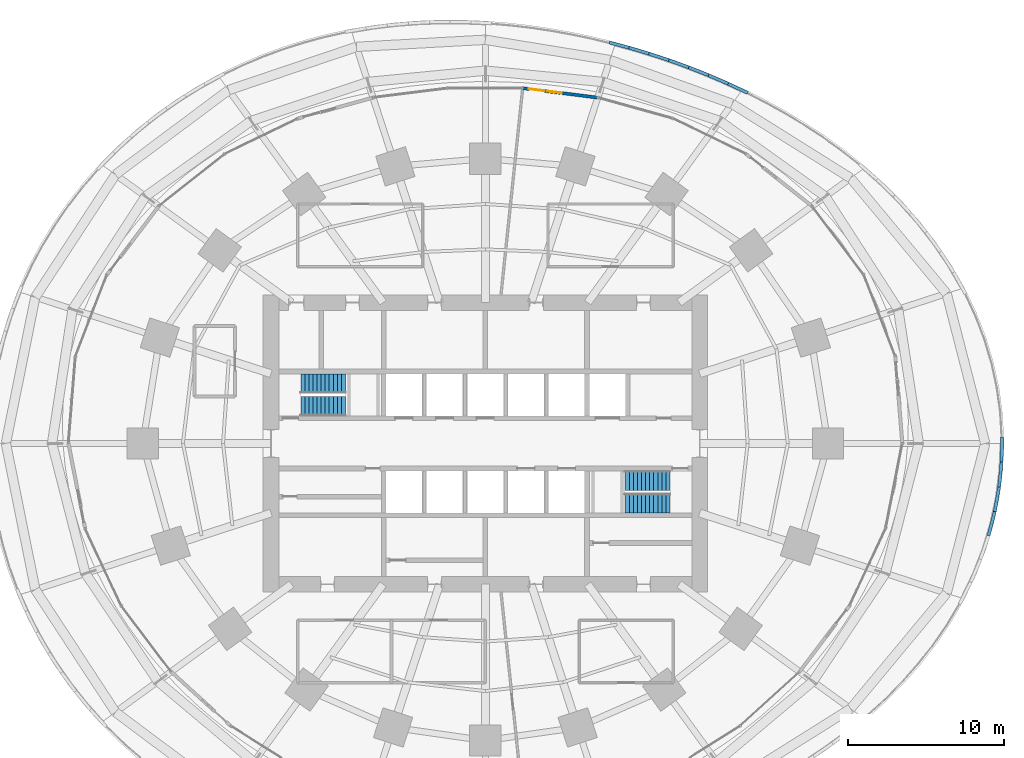
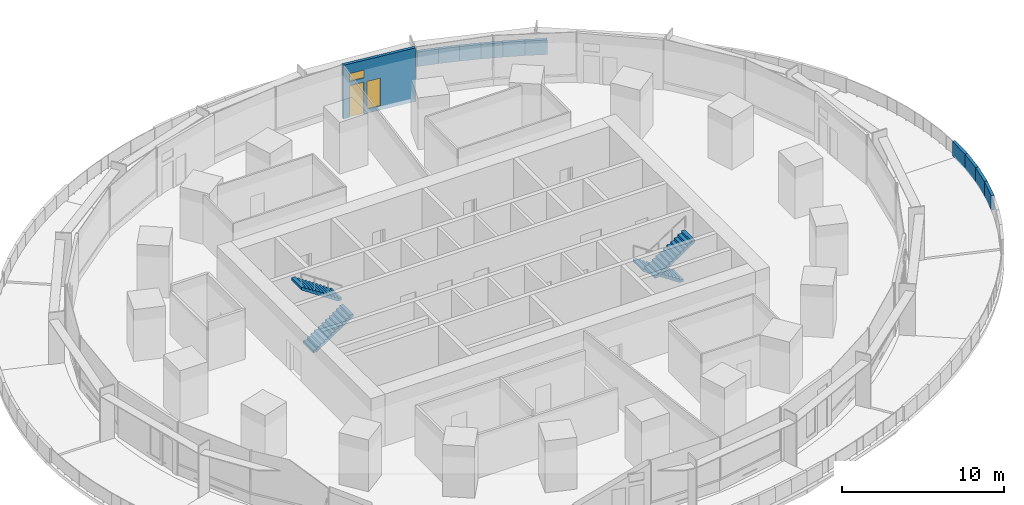
# One storey, part 16 of 20: 12 walls, 4 stair flights, 2 windows, 1 door, 3 openings, 2 elements without a shape of their own.
"""IFC4 building model written with IfcOpenShell, lengths in metres."""

from ifc_helpers import new_model, si_unit, direction, frame, frame_2d, origin, place, context, subcontext, project, spatial, polyline, rectangle, outline, extrude, material, layer, layer_set, type_object, element, fill, aggregate, save


model = new_model("IFC4")

# Units and contexts
model_context = context("Model", 3, precision=1e-05, world=origin(), true_north=direction((0.0, 1.0)))
body_context = subcontext(model_context, "Body", "Model", "MODEL_VIEW")
ifc_project = project(units=[si_unit("LENGTHUNIT", "METRE"), si_unit("AREAUNIT", "SQUARE_METRE"), si_unit("VOLUMEUNIT", "CUBIC_METRE"), si_unit("PLANEANGLEUNIT", "RADIAN"), si_unit("MASSUNIT", "GRAM", prefix="KILO")], contexts=[model_context])

# Site, building, storey
site_placement = place(None, origin())
site = spatial("IfcSite", under=ifc_project, at=site_placement, CompositionType="ELEMENT")
building_placement = place(site_placement, origin())
building = spatial("IfcBuilding", under=site, at=building_placement, Name="Marramba Exchange Tower", CompositionType="ELEMENT")
storey_placement = place(building_placement, frame((0.0, 0.0, 19.60009765625)))
storey = spatial("IfcBuildingStorey", under=building, at=storey_placement, Name="L04", CompositionType="ELEMENT", Elevation=19.60009765625)

# Wall, openings, door, windows
ifc_material_1 = material(Name="Aluminium-framed bronze cladding on steel studs", Category="steel")
ifc_layer_1 = layer(ifc_material_1, 0.199951171875)
ifc_layer_set_1 = layer_set([ifc_layer_1], Name="Door screen wall 200")
wall_type_1 = type_object("IfcWallType", Name="Door screen wall 200", PredefinedType="SOLIDWALL", material=ifc_layer_set_1)
wall_1_placement = place(storey_placement, frame((7.181640625, 22.1025390625, 0.0), z_axis=(0.0, 0.0, 1.0), x_axis=(-0.992172605172, 0.124874022707, 0.0)))
wall_1 = element("IfcWall", 1, at=wall_1_placement, inside=storey, type_object=wall_type_1, Name="Door screen L04 F07", PredefinedType="SOLIDWALL", context=body_context, shape_type="SweptSolid", body=[
    extrude(rectangle(XDim=4.8330078125, YDim=0.199951171875, at=frame_2d((2.41650390625, 0.0))), origin(), (0.0, 0.0, 1.0), 4.039794921875),
])
opening_1_placement = place(wall_1_placement, frame((3.432861328125, 0.0, 0.0)))
opening_1 = element("IfcOpeningElement", 2, at=opening_1_placement, cuts=wall_1, Name="Opening D6", PredefinedType="OPENING", context=body_context, shape_type="SweptSolid", body=[
    extrude(rectangle(XDim=1.0, YDim=2.39990234375, at=frame_2d((0.5, 1.199951171875))), frame((0.0, 0.10986328125, 0.0), z_axis=(0.0, -1.0, 0.0), x_axis=(1.0, 0.0, 0.0)), (0.0, 0.0, 1.0), 0.219970703125),
])
opening_2_placement = place(wall_1_placement, frame((2.332763671875, 0.0, 0.300048828125)))
opening_2 = element("IfcOpeningElement", 3, at=opening_2_placement, cuts=wall_1, Name="Opening W4", PredefinedType="OPENING", context=body_context, shape_type="SweptSolid", body=[
    extrude(rectangle(XDim=0.89990234375, YDim=2.10009765625, at=frame_2d((0.449951171875, 1.050048828125))), frame((0.0, 0.10986328125, 0.0), z_axis=(0.0, -1.0, 0.0), x_axis=(1.0, 0.0, 0.0)), (0.0, 0.0, 1.0), 0.219970703125),
])
opening_3_placement = place(wall_1_placement, frame((3.432861328125, 0.0, 2.699951171875)))
opening_3 = element("IfcOpeningElement", 4, at=opening_3_placement, cuts=wall_1, Name="Opening W5", PredefinedType="OPENING", context=body_context, shape_type="SweptSolid", body=[
    extrude(rectangle(XDim=1.0, YDim=0.60009765625, at=frame_2d((0.5, 0.300048828125))), frame((0.0, 0.10986328125, 0.0), z_axis=(0.0, -1.0, 0.0), x_axis=(1.0, 0.0, 0.0)), (0.0, 0.0, 1.0), 0.219970703125),
])
ifc_material_2 = material(Name="Aluminium-framed glazed door, bronze", Category="aluminium")
door_type = type_object("IfcDoorType", Name="Terrace door 1000x2400", OperationType="SINGLE_SWING_LEFT", PredefinedType="DOOR", material=ifc_material_2)
door_placement = place(opening_1_placement, frame((1.0, 0.0, 0.0), z_axis=(0.0, 0.0, 1.0), x_axis=(-1.0, 0.0, 0.0)))
door = element("IfcDoor", 5, at=door_placement, inside=storey, type_object=door_type, Name="D6 L04", OperationType="SINGLE_SWING_RIGHT", OverallHeight=2.39990234375, OverallWidth=1.0, PredefinedType="DOOR", context=body_context, shape_type="SweptSolid", body=[
    extrude(rectangle(XDim=1.0, YDim=2.39990234375, at=frame_2d((0.5, 1.199951171875))), frame((0.0, 0.025146484375, 0.0), z_axis=(0.0, -1.0, 0.0), x_axis=(1.0, 0.0, 0.0)), (0.0, 0.0, 1.0), 0.050048828125),
])
fill(opening_1, door)
ifc_material_3 = material(Name="Aluminium-framed fixed light, bronze, double glazed", Category="aluminium")
window_type_1 = type_object("IfcWindowType", Name="Terrace sidelight 900x2100", PartitioningType="SINGLE_PANEL", PredefinedType="WINDOW", material=ifc_material_3)
window_1_placement = place(opening_2_placement, origin())
window_1 = element("IfcWindow", 6, at=window_1_placement, inside=storey, type_object=window_type_1, Name="W4 L04 F07 left", OverallHeight=2.10009765625, OverallWidth=0.89990234375, PartitioningType="SINGLE_PANEL", PredefinedType="WINDOW", context=body_context, shape_type="SweptSolid", body=[
    extrude(rectangle(XDim=0.89990234375, YDim=2.10009765625, at=frame_2d((0.449951171875, 1.050048828125))), frame((0.0, 0.030029296875, 0.0), z_axis=(0.0, -1.0, 0.0), x_axis=(1.0, 0.0, 0.0)), (0.0, 0.0, 1.0), 0.06005859375),
])
fill(opening_2, window_1)
window_type_2 = type_object("IfcWindowType", Name="Terrace transom light 1000x600", PartitioningType="SINGLE_PANEL", PredefinedType="WINDOW", material=ifc_material_3)
window_2_placement = place(opening_3_placement, origin())
window_2 = element("IfcWindow", 7, at=window_2_placement, inside=storey, type_object=window_type_2, Name="W5 L04 F07 over the door", OverallHeight=0.60009765625, OverallWidth=1.0, PartitioningType="SINGLE_PANEL", PredefinedType="WINDOW", context=body_context, shape_type="SweptSolid", body=[
    extrude(rectangle(XDim=1.0, YDim=0.60009765625, at=frame_2d((0.5, 0.300048828125))), frame((0.0, 0.030029296875, 0.0), z_axis=(0.0, -1.0, 0.0), x_axis=(1.0, 0.0, 0.0)), (0.0, 0.0, 1.0), 0.06005859375),
])
fill(opening_3, window_2)

# Walls
ifc_material_4 = material(Name="Concrete N40", Category="concrete")
ifc_layer_2 = layer(ifc_material_4, 0.199951171875)
ifc_layer_set_2 = layer_set([ifc_layer_2], Name="Roof parapet 200")
wall_type_2 = type_object("IfcWallType", Name="Roof parapet 200", PredefinedType="PARAPET", material=ifc_layer_set_2)
wall_2_placement = place(storey_placement, frame((16.769775390625, 22.402099609375, 0.0), z_axis=(0.0, 0.0, 1.0), x_axis=(-0.905165145574, 0.425060065447, 0.0)))
element("IfcWall", 8, at=wall_2_placement, inside=storey, type_object=wall_type_2, Name="Parapet L04 bay 04", PredefinedType="PARAPET", context=body_context, shape_type="SweptSolid", body=[
    extrude(rectangle(XDim=1.38818359375, YDim=0.199951171875, at=frame_2d((0.694091796875, 0.0))), origin(), (0.0, 0.0, 1.0), 1.099853515625),
])
wall_3_placement = place(storey_placement, frame((15.51318359375, 22.9921875, 0.0), z_axis=(0.0, 0.0, 1.0), x_axis=(-0.918351953195, 0.395764690269, 0.0)))
element("IfcWall", 9, at=wall_3_placement, inside=storey, type_object=wall_type_2, Name="Parapet L04 bay 04", PredefinedType="PARAPET", context=body_context, shape_type="SweptSolid", body=[
    extrude(rectangle(XDim=1.37255859375, YDim=0.199951171875, at=frame_2d((0.686279296875, 0.0))), origin(), (0.0, 0.0, 1.0), 1.099853515625),
])
wall_4_placement = place(storey_placement, frame((14.252685546875, 23.535400390625, 0.0), z_axis=(0.0, 0.0, 1.0), x_axis=(-0.929932135138, 0.367731184479, 0.0)))
element("IfcWall", 10, at=wall_4_placement, inside=storey, type_object=wall_type_2, Name="Parapet L04 bay 04", PredefinedType="PARAPET", context=body_context, shape_type="SweptSolid", body=[
    extrude(rectangle(XDim=1.3583984375, YDim=0.199951171875, at=frame_2d((0.67919921875, 0.0))), origin(), (0.0, 0.0, 1.0), 1.099853515625),
])
wall_5_placement = place(storey_placement, frame((12.989501953125, 24.034912109375, 0.0), z_axis=(0.0, 0.0, 1.0), x_axis=(-0.940437939605, 0.339965412581, 0.0)))
element("IfcWall", 11, at=wall_5_placement, inside=storey, type_object=wall_type_2, Name="Parapet L04 bay 04", PredefinedType="PARAPET", context=body_context, shape_type="SweptSolid", body=[
    extrude(rectangle(XDim=1.345703125, YDim=0.199951171875, at=frame_2d((0.6728515625, 0.0))), origin(), (0.0, 0.0, 1.0), 1.099853515625),
])
wall_6_placement = place(storey_placement, frame((11.723876953125, 24.492431640625, 0.0), z_axis=(0.0, 0.0, 1.0), x_axis=(-0.949810759608, 0.312825064425, 0.0)))
element("IfcWall", 12, at=wall_6_placement, inside=storey, type_object=wall_type_2, Name="Parapet L04 bay 04", PredefinedType="PARAPET", context=body_context, shape_type="SweptSolid", body=[
    extrude(rectangle(XDim=1.33544921875, YDim=0.199951171875, at=frame_2d((0.667724609375, 0.0))), origin(), (0.0, 0.0, 1.0), 1.099853515625),
])
wall_7_placement = place(storey_placement, frame((10.45556640625, 24.91015625, 0.0), z_axis=(0.0, 0.0, 1.0), x_axis=(-0.958336385845, 0.28564203396, 0.0)))
element("IfcWall", 13, at=wall_7_placement, inside=storey, type_object=wall_type_2, Name="Parapet L04 bay 04", PredefinedType="PARAPET", context=body_context, shape_type="SweptSolid", body=[
    extrude(rectangle(XDim=1.326416015625, YDim=0.199951171875, at=frame_2d((0.6630859375, 0.0))), origin(), (0.0, 0.0, 1.0), 1.099853515625),
])
wall_8_placement = place(storey_placement, frame((9.184326171875, 25.2890625, 0.0), z_axis=(0.0, 0.0, 1.0), x_axis=(-0.965982716876, 0.258606633128, 0.0)))
element("IfcWall", 14, at=wall_8_placement, inside=storey, type_object=wall_type_2, Name="Parapet L04 bay 04", PredefinedType="PARAPET", context=body_context, shape_type="SweptSolid", body=[
    extrude(rectangle(XDim=1.31982421875, YDim=0.199951171875, at=frame_2d((0.659912109375, 0.0))), origin(), (0.0, 0.0, 1.0), 1.099853515625),
])
wall_9_placement = place(storey_placement, frame((32.160400390625, -5.900390625, 0.0), z_axis=(0.0, 0.0, 1.0), x_axis=(0.249993909191, 0.968247409172, 0.0)))
element("IfcWall", 15, at=wall_9_placement, inside=storey, type_object=wall_type_2, Name="Parapet L04 bay 20", PredefinedType="PARAPET", context=body_context, shape_type="SweptSolid", body=[
    extrude(rectangle(XDim=1.5927734375, YDim=0.199951171875, at=frame_2d((0.79638671875, 0.0))), origin(), (0.0, 0.0, 1.0), 1.099853515625),
])
wall_10_placement = place(storey_placement, frame((32.55859375, -4.358154296875, 0.0), z_axis=(0.0, 0.0, 1.0), x_axis=(0.175112470566, 0.98454843591, 0.0)))
element("IfcWall", 16, at=wall_10_placement, inside=storey, type_object=wall_type_2, Name="Parapet L04 bay 20", PredefinedType="PARAPET", context=body_context, shape_type="SweptSolid", body=[
    extrude(rectangle(XDim=1.594970703125, YDim=0.199951171875, at=frame_2d((0.79736328125, 0.0))), origin(), (0.0, 0.0, 1.0), 1.099853515625),
])
wall_11_placement = place(storey_placement, frame((32.837890625, -2.787841796875, 0.0), z_axis=(0.0, 0.0, 1.0), x_axis=(0.098156365767, 0.99517100433, 0.0)))
element("IfcWall", 17, at=wall_11_placement, inside=storey, type_object=wall_type_2, Name="Parapet L04 bay 20", PredefinedType="PARAPET", context=body_context, shape_type="SweptSolid", body=[
    extrude(rectangle(XDim=1.596923828125, YDim=0.199951171875, at=frame_2d((0.79833984375, 0.0))), origin(), (0.0, 0.0, 1.0), 1.099853515625),
])
wall_12_placement = place(storey_placement, frame((32.99462890625, -1.19873046875, 0.0), z_axis=(0.0, 0.0, 1.0), x_axis=(0.019714907958, 0.999805642315, 0.0)))
element("IfcWall", 18, at=wall_12_placement, inside=storey, type_object=wall_type_2, Name="Parapet L04 bay 20", PredefinedType="PARAPET", context=body_context, shape_type="SweptSolid", body=[
    extrude(rectangle(XDim=1.597412109375, YDim=0.199951171875, at=frame_2d((0.798828125, 0.0))), origin(), (0.0, 0.0, 1.0), 1.099853515625),
])

# Stair, stair flights
ifc_material_5 = material(Name="Concrete N40 (40 MPa)", Category="concrete")
stair_type_1 = type_object("IfcStairType", Name="Exit stair ST1 4200 x 1250", PredefinedType="HALF_TURN_STAIR", material=ifc_material_5)
stair_1_placement = place(storey_placement, origin())
stair_1 = element("IfcStair", 19, at=stair_1_placement, inside=storey, type_object=stair_type_1, Name="Exit stair ST1 L04", PredefinedType="HALF_TURN_STAIR")
stair_flight_type_1 = type_object("IfcStairFlightType", Name="ST1 stair flight 1750 riser 1250 wide", PredefinedType="STRAIGHT", material=ifc_material_5)
stair_flight_1_placement = place(storey_placement, frame((-11.800048828125, 2.375, 0.0), z_axis=(0.0, 0.0, 1.0), x_axis=(1.0, 0.0, 0.0)))
stair_flight_1 = element("IfcStairFlight", 20, at=stair_flight_1_placement, type_object=stair_flight_type_1, Name="ST1 flight 1", NumberOfRisers=12, NumberOfTreads=11, PredefinedType="STRAIGHT", RiserHeight=0.175, TreadLength=0.26, context=body_context, shape_type="SweptSolid", body=[
    extrude(outline(polyline([(0.0, 0.0), (0.0, 0.175048828125), (0.260009765625, 0.175048828125), (0.260009765625, 0.35009765625), (0.52001953125, 0.35009765625), (0.52001953125, 0.52490234375), (0.780029296875, 0.52490234375), (0.780029296875, 0.699951171875), (1.0400390625, 0.699951171875), (1.0400390625, 0.875), (1.300048828125, 0.875), (1.300048828125, 1.050048828125), (1.56005859375, 1.050048828125), (1.56005859375, 1.22509765625), (1.820068359375, 1.22509765625), (1.820068359375, 1.39990234375), (2.080078125, 1.39990234375), (2.080078125, 1.574951171875), (2.340087890625, 1.574951171875), (2.340087890625, 1.75), (2.60009765625, 1.75), (2.60009765625, 1.925048828125), (2.860107421875, 1.925048828125), (2.860107421875, 2.10009765625), (2.860107421875, 1.744384765625), (0.2685546875, 0.0), (0.0, 0.0)])), frame((0.0, 0.625, 0.0), z_axis=(0.0, -1.0, 0.0), x_axis=(1.0, 0.0, 0.0)), (0.0, 0.0, 1.0), 1.25),
])
stair_flight_2_placement = place(storey_placement, frame((-8.93994140625, 3.824951171875, 2.099853515625), z_axis=(0.0, 0.0, 1.0), x_axis=(-1.0, 0.0, 0.0)))
stair_flight_2 = element("IfcStairFlight", 21, at=stair_flight_2_placement, type_object=stair_flight_type_1, Name="ST1 flight 2", NumberOfRisers=12, NumberOfTreads=11, PredefinedType="STRAIGHT", RiserHeight=0.175, TreadLength=0.26, context=body_context, shape_type="SweptSolid", body=[
    extrude(outline(polyline([(0.0, 0.0), (0.0, 0.175048828125), (0.260009765625, 0.175048828125), (0.260009765625, 0.35009765625), (0.52001953125, 0.35009765625), (0.52001953125, 0.52490234375), (0.780029296875, 0.52490234375), (0.780029296875, 0.699951171875), (1.0400390625, 0.699951171875), (1.0400390625, 0.875), (1.300048828125, 0.875), (1.300048828125, 1.050048828125), (1.56005859375, 1.050048828125), (1.56005859375, 1.22509765625), (1.820068359375, 1.22509765625), (1.820068359375, 1.39990234375), (2.080078125, 1.39990234375), (2.080078125, 1.574951171875), (2.340087890625, 1.574951171875), (2.340087890625, 1.75), (2.60009765625, 1.75), (2.60009765625, 1.925048828125), (2.860107421875, 1.925048828125), (2.860107421875, 2.10009765625), (2.860107421875, 1.744384765625), (0.2685546875, 0.0), (0.0, 0.0)])), frame((0.0, 0.625, 0.0), z_axis=(0.0, -1.0, 0.0), x_axis=(1.0, 0.0, 0.0)), (0.0, 0.0, 1.0), 1.25),
])
aggregate(stair_1, [stair_flight_1, stair_flight_2])

stair_type_2 = type_object("IfcStairType", Name="Exit stair ST2 4200 x 1250", PredefinedType="HALF_TURN_STAIR", material=ifc_material_5)
stair_2_placement = place(storey_placement, origin())
stair_2 = element("IfcStair", 22, at=stair_2_placement, inside=storey, type_object=stair_type_2, Name="Exit stair ST2 L04", PredefinedType="HALF_TURN_STAIR")
stair_flight_type_2 = type_object("IfcStairFlightType", Name="ST2 stair flight 1750 riser 1250 wide", PredefinedType="STRAIGHT", material=ifc_material_5)
stair_flight_3_placement = place(storey_placement, frame((11.800048828125, -2.375, 0.0), z_axis=(0.0, 0.0, 1.0), x_axis=(-1.0, 0.0, 0.0)))
stair_flight_3 = element("IfcStairFlight", 23, at=stair_flight_3_placement, type_object=stair_flight_type_2, Name="ST2 flight 1", NumberOfRisers=12, NumberOfTreads=11, PredefinedType="STRAIGHT", RiserHeight=0.175, TreadLength=0.26, context=body_context, shape_type="SweptSolid", body=[
    extrude(outline(polyline([(0.0, 0.0), (0.0, 0.175048828125), (0.260009765625, 0.175048828125), (0.260009765625, 0.35009765625), (0.52001953125, 0.35009765625), (0.52001953125, 0.52490234375), (0.780029296875, 0.52490234375), (0.780029296875, 0.699951171875), (1.0400390625, 0.699951171875), (1.0400390625, 0.875), (1.300048828125, 0.875), (1.300048828125, 1.050048828125), (1.56005859375, 1.050048828125), (1.56005859375, 1.22509765625), (1.820068359375, 1.22509765625), (1.820068359375, 1.39990234375), (2.080078125, 1.39990234375), (2.080078125, 1.574951171875), (2.340087890625, 1.574951171875), (2.340087890625, 1.75), (2.60009765625, 1.75), (2.60009765625, 1.925048828125), (2.860107421875, 1.925048828125), (2.860107421875, 2.10009765625), (2.860107421875, 1.744384765625), (0.2685546875, 0.0), (0.0, 0.0)])), frame((0.0, 0.625, 0.0), z_axis=(0.0, -1.0, 0.0), x_axis=(1.0, 0.0, 0.0)), (0.0, 0.0, 1.0), 1.25),
])
stair_flight_4_placement = place(storey_placement, frame((8.93994140625, -3.824951171875, 2.099853515625), z_axis=(0.0, 0.0, 1.0), x_axis=(1.0, 0.0, 0.0)))
stair_flight_4 = element("IfcStairFlight", 24, at=stair_flight_4_placement, type_object=stair_flight_type_2, Name="ST2 flight 2", NumberOfRisers=12, NumberOfTreads=11, PredefinedType="STRAIGHT", RiserHeight=0.175, TreadLength=0.26, context=body_context, shape_type="SweptSolid", body=[
    extrude(outline(polyline([(0.0, 0.0), (0.0, 0.175048828125), (0.260009765625, 0.175048828125), (0.260009765625, 0.35009765625), (0.52001953125, 0.35009765625), (0.52001953125, 0.52490234375), (0.780029296875, 0.52490234375), (0.780029296875, 0.699951171875), (1.0400390625, 0.699951171875), (1.0400390625, 0.875), (1.300048828125, 0.875), (1.300048828125, 1.050048828125), (1.56005859375, 1.050048828125), (1.56005859375, 1.22509765625), (1.820068359375, 1.22509765625), (1.820068359375, 1.39990234375), (2.080078125, 1.39990234375), (2.080078125, 1.574951171875), (2.340087890625, 1.574951171875), (2.340087890625, 1.75), (2.60009765625, 1.75), (2.60009765625, 1.925048828125), (2.860107421875, 1.925048828125), (2.860107421875, 2.10009765625), (2.860107421875, 1.744384765625), (0.2685546875, 0.0), (0.0, 0.0)])), frame((0.0, 0.625, 0.0), z_axis=(0.0, -1.0, 0.0), x_axis=(1.0, 0.0, 0.0)), (0.0, 0.0, 1.0), 1.25),
])
aggregate(stair_2, [stair_flight_3, stair_flight_4])

save(model, "model.ifc")
